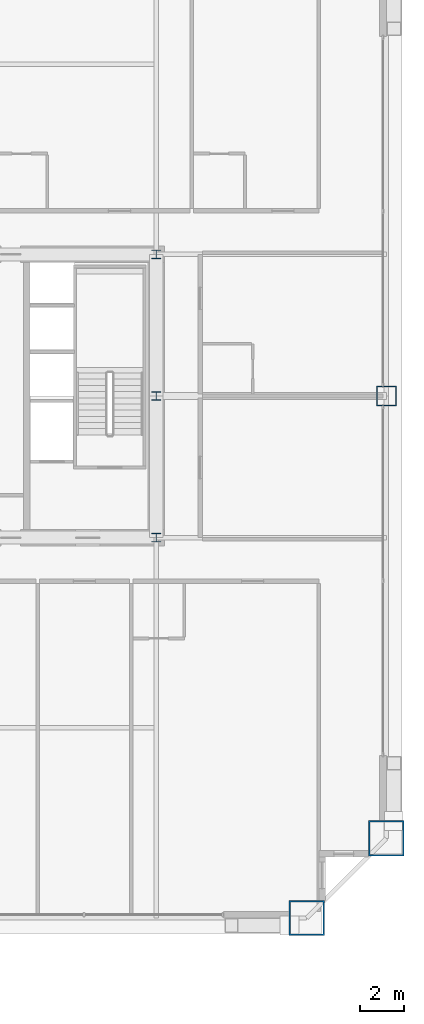
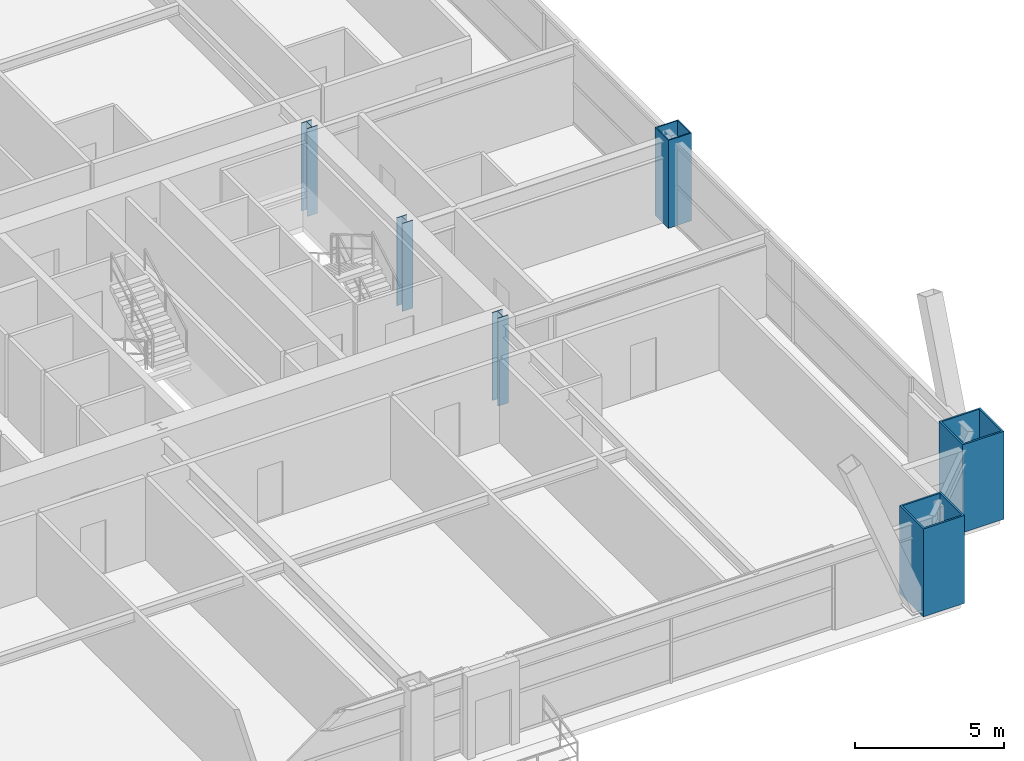
# One storey, part 2 of 42: 6 columns.
"""IFC4 building model written with IfcOpenShell, lengths in metres."""

from ifc_helpers import new_model, si_unit, direction, frame, origin, origin_2d, place, context, subcontext, project, spatial, hollow_rectangle, i_section, extrude, source, transform, mapped, material, material_profile, profile_set, type_object, element, save


model = new_model("IFC4")

# Units and contexts
model_context = context("Model", 3, precision=1e-05, world=origin(), true_north=direction((0.0, 1.0)))
body_context = subcontext(model_context, "Body", "Model", "MODEL_VIEW")
ifc_project = project(units=[si_unit("LENGTHUNIT", "METRE"), si_unit("AREAUNIT", "SQUARE_METRE"), si_unit("VOLUMEUNIT", "CUBIC_METRE"), si_unit("PLANEANGLEUNIT", "RADIAN"), si_unit("MASSUNIT", "GRAM", prefix="KILO"), si_unit("THERMODYNAMICTEMPERATUREUNIT", "KELVIN"), si_unit("POWERUNIT", "WATT")], contexts=[model_context])

# Site, building, storey
site_placement = place(None, origin())
site = spatial("IfcSite", under=ifc_project, at=site_placement, CompositionType="ELEMENT")
building_placement = place(site_placement, origin())
building = spatial("IfcBuilding", under=site, at=building_placement, Name="Yuzanri Waterfront Tower", CompositionType="ELEMENT")
storey_placement = place(building_placement, frame((0.0, 0.0, 145.199951171875)))
storey = spatial("IfcBuildingStorey", under=building, at=storey_placement, Name="L38", CompositionType="ELEMENT", Elevation=145.199951171875)

# Columns
ifc_material_1 = material(Name="Steel Q390GJC", Category="steel")
ifc_material_profile_1 = material_profile(ifc_material_1, hollow_rectangle(XDim=0.89990234375, YDim=0.89990234375, WallThickness=0.0419921875, at=origin_2d()), Name="RHS 900x900x42")
ifc_profile_set_1 = profile_set([ifc_material_profile_1], Name="Steel Q390GJC")
column_type_1 = type_object("IfcColumnType", Name="Frame Column Q390GJC RHS 900x900x42", PredefinedType="COLUMN", material=ifc_profile_set_1)
shared_shape_1 = source(origin(), body_context, "Body", "SweptSolid", [
    extrude(hollow_rectangle(XDim=0.89990234375, YDim=0.89990234375, WallThickness=0.0419921875, at=origin_2d()), origin(), (0.0, 0.0, 1.0), 3.60009765625),
])
column_placement = place(storey_placement, frame((60.60009765625, 25.800048828125, 0.0), z_axis=(0.0, 0.0, 1.0), x_axis=(1.0, 0.0, 0.0)))
element("IfcColumn", 1, at=column_placement, inside=storey, type_object=column_type_1, Name="L38 Perimeter Frame Column E2", PredefinedType="COLUMN", context=body_context, shape_type="MappedRepresentation", body=[
    mapped(shared_shape_1, transform((0.0, 0.0, 0.0), scale=1.0)),
])
ifc_material_2 = material(Name="Steel Q420GJC", Category="steel")
ifc_material_profile_2 = material_profile(ifc_material_2, hollow_rectangle(XDim=1.60009765625, YDim=1.60009765625, WallThickness=0.070068359375, at=origin_2d()), Name="RHS 1600x1600x70")
ifc_profile_set_2 = profile_set([ifc_material_profile_2], Name="Steel Q420GJC")
column_type_2 = type_object("IfcColumnType", Name="Mega Column Q420GJC RHS 1600x1600x70", PredefinedType="COLUMN", material=ifc_profile_set_2)
shared_shape_2 = source(origin(), body_context, "Body", "SweptSolid", [
    extrude(hollow_rectangle(XDim=1.60009765625, YDim=1.60009765625, WallThickness=0.070068359375, at=origin_2d()), origin(), (0.0, 0.0, 1.0), 3.60009765625),
])
for number, where, z_axis, x_axis, name in (
    (2, (57.0, 2.199951171875, 0.0), (0.0, 0.0, 1.0), (1.0, 0.0, 0.0), "L38 Perimeter Mega Column S3"),
    (3, (60.60009765625, 5.800048828125, 0.0), (0.0, 0.0, 1.0), (1.0, 0.0, 0.0), "L38 Perimeter Mega Column E1"),
):
    element("IfcColumn", number, at=place(storey_placement, frame(where, z_axis=z_axis, x_axis=x_axis)), inside=storey, type_object=column_type_2, Name=name, PredefinedType="COLUMN", context=body_context, shape_type="MappedRepresentation", body=[
        mapped(shared_shape_2, transform((0.0, 0.0, 0.0), scale=1.0)),
    ])
ifc_material_3 = material(Name="Steel Q355B", Category="steel")
ifc_material_profile_3 = material_profile(ifc_material_3, i_section(OverallWidth=0.39990234375, OverallDepth=0.39990234375, WebThickness=0.012939453125, FlangeThickness=0.02099609375, at=origin_2d()), Name="HW 400x400x13x21")
ifc_profile_set_3 = profile_set([ifc_material_profile_3], Name="Steel Q355B")
column_type_3 = type_object("IfcColumnType", Name="Core Post Q355B HW 400x400x13x21", PredefinedType="COLUMN", material=ifc_profile_set_3)
shared_shape_3 = source(origin(), body_context, "Body", "SweptSolid", [
    extrude(i_section(OverallWidth=0.39990234375, OverallDepth=0.39990234375, WebThickness=0.012939453125, FlangeThickness=0.02099609375, at=origin_2d()), origin(), (0.0, 0.0, 1.0), 3.60009765625),
])
for number, where, z_axis, x_axis, name in (
    (4, (50.199951171875, 19.39990234375, 0.0), (0.0, 0.0, 1.0), (1.0, 0.0, 0.0), "L38 Core Boundary Column CP3"),
    (5, (50.199951171875, 25.800048828125, 0.0), (0.0, 0.0, 1.0), (1.0, 0.0, 0.0), "L38 Core Boundary Column CP5"),
    (6, (50.199951171875, 32.199951171875, 0.0), (0.0, 0.0, 1.0), (1.0, 0.0, 0.0), "L38 Core Boundary Column CP8"),
):
    element("IfcColumn", number, at=place(storey_placement, frame(where, z_axis=z_axis, x_axis=x_axis)), inside=storey, type_object=column_type_3, Name=name, PredefinedType="COLUMN", context=body_context, shape_type="MappedRepresentation", body=[
        mapped(shared_shape_3, transform((0.0, 0.0, 0.0), scale=1.0)),
    ])

save(model, "model.ifc")
